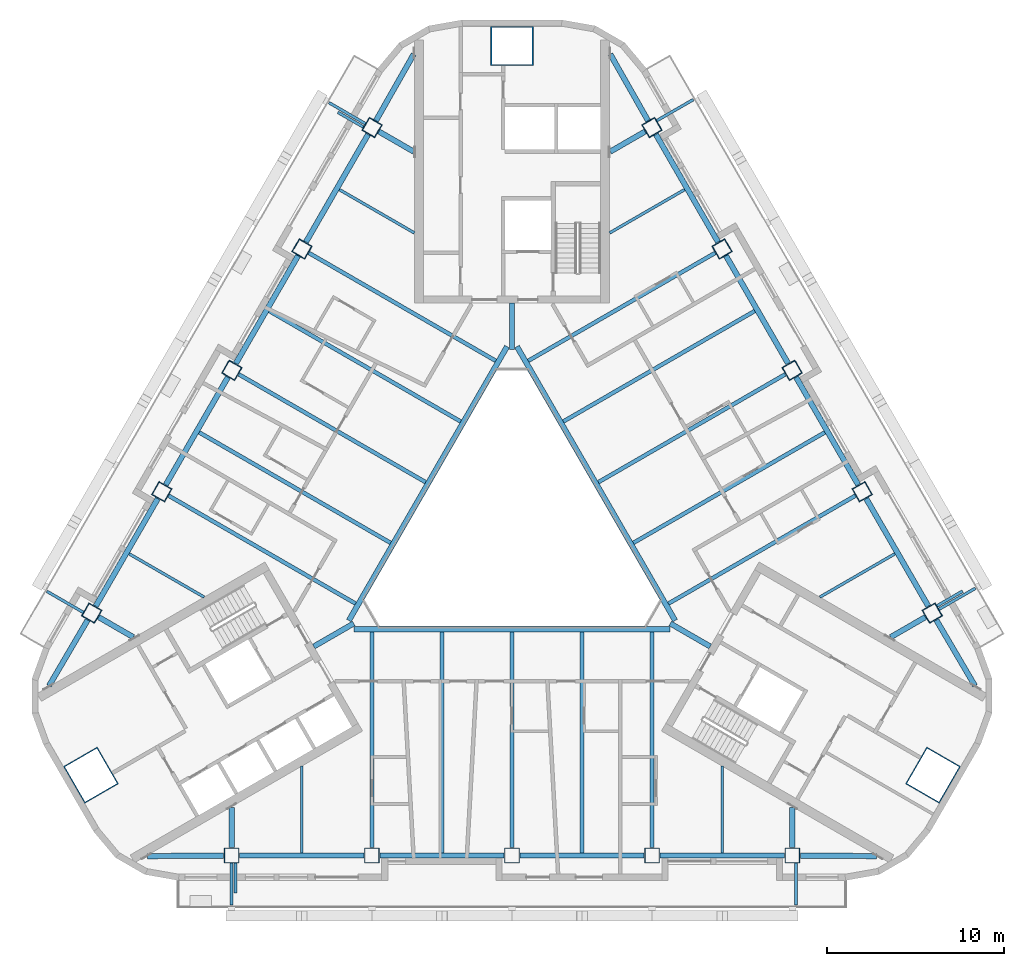
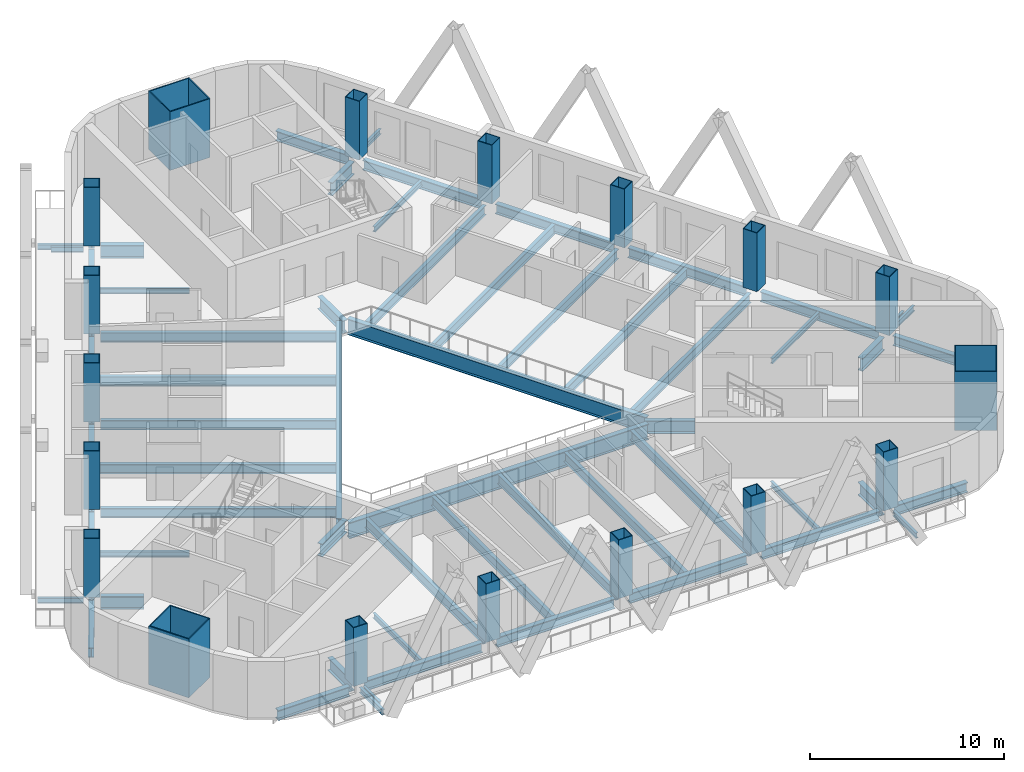
# One storey, part 1 of 17: 36 beams, 24 members, 18 columns.
"""IFC4 building model written with IfcOpenShell, lengths in metres."""

from ifc_helpers import new_model, si_unit, direction, frame, origin, origin_2d, place, context, subcontext, project, spatial, rectangle, hollow_rectangle, i_section, extrude, material, material_profile, profile_set, type_object, element, save


model = new_model("IFC4")

# Units and contexts
model_context = context("Model", 3, precision=1e-05, world=origin(), true_north=direction((0.0, 1.0)))
body_context = subcontext(model_context, "Body", "Model", "MODEL_VIEW")
ifc_project = project(units=[si_unit("LENGTHUNIT", "METRE"), si_unit("AREAUNIT", "SQUARE_METRE"), si_unit("VOLUMEUNIT", "CUBIC_METRE"), si_unit("PLANEANGLEUNIT", "RADIAN"), si_unit("MASSUNIT", "GRAM", prefix="KILO")], contexts=[model_context])

# Site, building, storey
site_placement = place(None, origin())
site = spatial("IfcSite", under=ifc_project, at=site_placement, CompositionType="ELEMENT")
building_placement = place(site_placement, origin())
building = spatial("IfcBuilding", under=site, at=building_placement, Name="Apuvela Tower Hotel", CompositionType="ELEMENT")
storey_placement = place(building_placement, frame((0.0, 0.0, 146.60009765625)))
storey = spatial("IfcBuildingStorey", under=building, at=storey_placement, Name="L34", CompositionType="ELEMENT", Elevation=146.60009765625)

# Columns
ifc_material_1 = material(Name="Steel S460", Category="steel")
ifc_material_profile_1 = material_profile(ifc_material_1, hollow_rectangle(XDim=2.39990234375, YDim=2.199951171875, WallThickness=0.06005859375, at=origin_2d()), Name="BOX 2400x2200x60")
ifc_material_2 = material(Name="Concrete C80/95", Category="concrete")
ifc_material_profile_2 = material_profile(ifc_material_2, rectangle(XDim=2.280029296875, YDim=2.080078125, at=origin_2d()), Name="Concrete C80/95 infill")
ifc_profile_set_1 = profile_set([ifc_material_profile_1, ifc_material_profile_2], Name="Steel S460")
column_type_1 = type_object("IfcColumnType", Name="STR-MC mega column BOX 2400x2200x60", PredefinedType="COLUMN", material=ifc_profile_set_1)
for number, where, z_axis, x_axis, name in (
    (1, (0.0, 27.39990234375, 0.0), (0.0, 0.0, 1.0), (1.0, 0.0, 0.0), "Mega column MC3 N"),
    (2, (-23.72900390625, -13.699951171875, 0.0), (0.0, 0.0, 1.0), (-0.5, 0.866025403784, 0.0), "Mega column MC3 SW"),
    (3, (23.72900390625, -13.699951171875, 0.0), (0.0, 0.0, 1.0), (0.5, 0.866025403784, 0.0), "Mega column MC3 SE"),
):
    element("IfcColumn", number, at=place(storey_placement, frame(where, z_axis=z_axis, x_axis=x_axis)), inside=storey, type_object=column_type_1, Name=name, PredefinedType="COLUMN", context=body_context, shape_type="SweptSolid", body=[
        extrude(hollow_rectangle(XDim=2.39990234375, YDim=2.199951171875, WallThickness=0.06005859375, at=origin_2d()), origin(), (0.0, 0.0, 1.0), 3.699951171875),
    ])
ifc_material_profile_3 = material_profile(ifc_material_1, hollow_rectangle(XDim=0.85009765625, YDim=0.85009765625, WallThickness=0.0400390625, at=origin_2d()), Name="BOX 850x850x40")
ifc_material_profile_4 = material_profile(ifc_material_2, rectangle(XDim=0.77001953125, YDim=0.77001953125, at=origin_2d()), Name="Concrete C80/95 infill")
ifc_profile_set_2 = profile_set([ifc_material_profile_3, ifc_material_profile_4], Name="Steel S460")
column_type_2 = type_object("IfcColumnType", Name="STR-PC perimeter column BOX 850x850x40", PredefinedType="COLUMN", material=ifc_profile_set_2)
for number, where, z_axis, x_axis, name in (
    (4, (-15.800048828125, -18.22998046875, 0.0), (0.0, 0.0, 1.0), (-1.0, 0.0, 0.0), "Perimeter column C4 S1"),
    (5, (-7.89990234375, -18.22998046875, 0.0), (0.0, 0.0, 1.0), (-1.0, 0.0, 0.0), "Perimeter column C4 S2"),
    (6, (0.0, -18.22998046875, 0.0), (0.0, 0.0, 1.0), (-1.0, 0.0, 0.0), "Perimeter column C4 S3"),
    (7, (7.89990234375, -18.22998046875, 0.0), (0.0, 0.0, 1.0), (-1.0, 0.0, 0.0), "Perimeter column C4 S4"),
    (8, (15.800048828125, -18.22998046875, 0.0), (0.0, 0.0, 1.0), (-1.0, 0.0, 0.0), "Perimeter column C4 S5"),
    (9, (23.6875, -4.568115234375, 0.0), (0.0, 0.0, 1.0), (-0.5, 0.866025403784, 0.0), "Perimeter column C4 NE1"),
    (10, (19.737548828125, 2.2734375, 0.0), (0.0, 0.0, 1.0), (-0.5, 0.866025403784, 0.0), "Perimeter column C4 NE2"),
    (11, (15.78759765625, 9.114990234375, 0.0), (0.0, 0.0, 1.0), (-0.5, 0.866025403784, 0.0), "Perimeter column C4 NE3"),
    (12, (11.837646484375, 15.95654296875, 0.0), (0.0, 0.0, 1.0), (-0.5, 0.866025403784, 0.0), "Perimeter column C4 NE4"),
    (13, (7.8876953125, 22.798095703125, 0.0), (0.0, 0.0, 1.0), (-0.5, 0.866025403784, 0.0), "Perimeter column C4 NE5"),
    (14, (-7.8876953125, 22.798095703125, 0.0), (0.0, 0.0, 1.0), (0.5, 0.866025403784, 0.0), "Perimeter column C4 NW1"),
    (15, (-11.837646484375, 15.95654296875, 0.0), (0.0, 0.0, 1.0), (0.5, 0.866025403784, 0.0), "Perimeter column C4 NW2"),
    (16, (-15.78759765625, 9.114990234375, 0.0), (0.0, 0.0, 1.0), (0.5, 0.866025403784, 0.0), "Perimeter column C4 NW3"),
    (17, (-19.737548828125, 2.2734375, 0.0), (0.0, 0.0, 1.0), (0.5, 0.866025403784, 0.0), "Perimeter column C4 NW4"),
    (18, (-23.6875, -4.568115234375, 0.0), (0.0, 0.0, 1.0), (0.5, 0.866025403784, 0.0), "Perimeter column C4 NW5"),
):
    element("IfcColumn", number, at=place(storey_placement, frame(where, z_axis=z_axis, x_axis=x_axis)), inside=storey, type_object=column_type_2, Name=name, PredefinedType="COLUMN", context=body_context, shape_type="SweptSolid", body=[
        extrude(hollow_rectangle(XDim=0.85009765625, YDim=0.85009765625, WallThickness=0.0400390625, at=origin_2d()), origin(), (0.0, 0.0, 1.0), 3.699951171875),
    ])

# Beams
ifc_material_3 = material(Name="Steel S355", Category="steel")
ifc_material_profile_5 = material_profile(ifc_material_3, i_section(OverallWidth=0.159912109375, OverallDepth=0.330078125, WebThickness=0.007568359375, FlangeThickness=0.011474609375, at=origin_2d()), Name="IPE 330")
ifc_profile_set_3 = profile_set([ifc_material_profile_5], Name="Steel S355")
beam_type_1 = type_object("IfcBeamType", Name="ENV-BALCONY-BEAM-IPE330", PredefinedType="BEAM", material=ifc_profile_set_3)
beam_1_placement = place(storey_placement, frame((-15.800048828125, -18.655029296875, -0.315185546875), z_axis=(0.0, -1.0, 0.0), x_axis=(1.0, 0.0, 0.0)))
element("IfcBeam", 19, at=beam_1_placement, inside=storey, type_object=beam_type_1, Name="Balcony cantilever beam S1 L34", PredefinedType="BEAM", context=body_context, shape_type="SweptSolid", body=[
    extrude(i_section(OverallWidth=0.159912109375, OverallDepth=0.330078125, WebThickness=0.007568359375, FlangeThickness=0.011474609375, at=origin_2d()), origin(), (0.0, 0.0, 1.0), 2.375),
])
beam_2_placement = place(storey_placement, frame((-15.580078125, -18.655029296875, -0.315185546875), z_axis=(0.0, -1.0, 0.0), x_axis=(1.0, 0.0, 0.0)))
element("IfcBeam", 20, at=beam_2_placement, inside=storey, type_object=beam_type_1, Name="Balcony cantilever beam S2 L34", PredefinedType="BEAM", context=body_context, shape_type="SweptSolid", body=[
    extrude(i_section(OverallWidth=0.159912109375, OverallDepth=0.330078125, WebThickness=0.007568359375, FlangeThickness=0.011474609375, at=origin_2d()), origin(), (0.0, 0.0, 1.0), 1.675048828125),
])
for number, where, z_axis, x_axis, name in (
    (21, (16.0, -18.655029296875, -0.315185546875), (0.0, -1.0, 0.0), (1.0, 0.0, 0.0), "Balcony cantilever beam S3 L34"),
    (22, (24.0556640625, -4.355712890625, -0.315185546875), (0.866033238375, 0.499986429846, 0.0), (-0.499986429846, 0.866033238375, 0.0), "Balcony cantilever beam NE1 L34"),
):
    element("IfcBeam", number, at=place(storey_placement, frame(where, z_axis=z_axis, x_axis=x_axis)), inside=storey, type_object=beam_type_1, Name=name, PredefinedType="BEAM", context=body_context, shape_type="SweptSolid", body=[
        extrude(i_section(OverallWidth=0.159912109375, OverallDepth=0.330078125, WebThickness=0.007568359375, FlangeThickness=0.011474609375, at=origin_2d()), origin(), (0.0, 0.0, 1.0), 2.375),
    ])
beam_3_placement = place(storey_placement, frame((23.94580078125, -4.165283203125, -0.315185546875), z_axis=(0.865964676353, 0.500105168249, 0.0), x_axis=(-0.500105168249, 0.865964676353, 0.0)))
element("IfcBeam", 23, at=beam_3_placement, inside=storey, type_object=beam_type_1, Name="Balcony cantilever beam NE2 L34", PredefinedType="BEAM", context=body_context, shape_type="SweptSolid", body=[
    extrude(i_section(OverallWidth=0.159912109375, OverallDepth=0.330078125, WebThickness=0.007568359375, FlangeThickness=0.011474609375, at=origin_2d()), origin(), (0.0, 0.0, 1.0), 1.675048828125),
])
beam_4_placement = place(storey_placement, frame((8.15576171875, 23.183837890625, -0.315185546875), z_axis=(0.866007538022, 0.500030943131, 0.0), x_axis=(-0.500030943131, 0.866007538022, 0.0)))
element("IfcBeam", 24, at=beam_4_placement, inside=storey, type_object=beam_type_1, Name="Balcony cantilever beam NE3 L34", PredefinedType="BEAM", context=body_context, shape_type="SweptSolid", body=[
    extrude(i_section(OverallWidth=0.159912109375, OverallDepth=0.330078125, WebThickness=0.007568359375, FlangeThickness=0.011474609375, at=origin_2d()), origin(), (0.0, 0.0, 1.0), 2.374755859375),
])
beam_5_placement = place(storey_placement, frame((-8.255615234375, 23.0107421875, -0.315185546875), z_axis=(-0.866033238375, 0.499986429846, 0.0), x_axis=(-0.499986429846, -0.866033238375, 0.0)))
element("IfcBeam", 25, at=beam_5_placement, inside=storey, type_object=beam_type_1, Name="Balcony cantilever beam NW1 L34", PredefinedType="BEAM", context=body_context, shape_type="SweptSolid", body=[
    extrude(i_section(OverallWidth=0.159912109375, OverallDepth=0.330078125, WebThickness=0.007568359375, FlangeThickness=0.011474609375, at=origin_2d()), origin(), (0.0, 0.0, 1.0), 2.375),
])
beam_6_placement = place(storey_placement, frame((-8.36572265625, 22.8203125, -0.315185546875), z_axis=(-0.866064234506, 0.499932737185, 0.0), x_axis=(-0.499932737185, -0.866064234506, 0.0)))
element("IfcBeam", 26, at=beam_6_placement, inside=storey, type_object=beam_type_1, Name="Balcony cantilever beam NW2 L34", PredefinedType="BEAM", context=body_context, shape_type="SweptSolid", body=[
    extrude(i_section(OverallWidth=0.159912109375, OverallDepth=0.330078125, WebThickness=0.007568359375, FlangeThickness=0.011474609375, at=origin_2d()), origin(), (0.0, 0.0, 1.0), 1.675048828125),
])
beam_7_placement = place(storey_placement, frame((-24.15576171875, -4.52880859375, -0.315185546875), z_axis=(-0.866007538022, 0.500030943131, 0.0), x_axis=(-0.500030943131, -0.866007538022, 0.0)))
element("IfcBeam", 27, at=beam_7_placement, inside=storey, type_object=beam_type_1, Name="Balcony cantilever beam NW3 L34", PredefinedType="BEAM", context=body_context, shape_type="SweptSolid", body=[
    extrude(i_section(OverallWidth=0.159912109375, OverallDepth=0.330078125, WebThickness=0.007568359375, FlangeThickness=0.011474609375, at=origin_2d()), origin(), (0.0, 0.0, 1.0), 2.374755859375),
])
ifc_material_profile_6 = material_profile(ifc_material_3, i_section(OverallWidth=0.159912109375, OverallDepth=0.330078125, WebThickness=0.007568359375, FlangeThickness=0.011474609375, at=origin_2d()), Name="IPE 330")
ifc_profile_set_4 = profile_set([ifc_material_profile_6], Name="Steel S355")
beam_type_2 = type_object("IfcBeamType", Name="STR-B floor beam IPE 330", PredefinedType="BEAM", material=ifc_profile_set_4)
beam_8_placement = place(storey_placement, frame((21.58056640625, -1.2236328125, -0.315185546875), z_axis=(-0.866010805854, -0.500025283505, 0.0), x_axis=(0.500025283505, -0.866010805854, 0.0)))
element("IfcBeam", 28, at=beam_8_placement, inside=storey, type_object=beam_type_2, Name="Floor beam B1 NE2", PredefinedType="BEAM", context=body_context, shape_type="SweptSolid", body=[
    extrude(i_section(OverallWidth=0.159912109375, OverallDepth=0.330078125, WebThickness=0.007568359375, FlangeThickness=0.011474609375, at=origin_2d()), origin(), (0.0, 0.0, 1.0), 4.885009765625),
])
for number, where, z_axis, x_axis, name in (
    (29, (9.730712890625, 19.30126953125, -0.315185546875), (-0.866023300691, -0.500003642646, 0.0), (0.500003642646, -0.866023300691, 0.0), "Floor beam B1 NE8"),
    (30, (-9.730712890625, 19.30126953125, -0.315185546875), (0.866023300691, -0.500003642646, 0.0), (0.500003642646, 0.866023300691, 0.0), "Floor beam B1 NW2"),
):
    element("IfcBeam", number, at=place(storey_placement, frame(where, z_axis=z_axis, x_axis=x_axis)), inside=storey, type_object=beam_type_2, Name=name, PredefinedType="BEAM", context=body_context, shape_type="SweptSolid", body=[
        extrude(i_section(OverallWidth=0.159912109375, OverallDepth=0.330078125, WebThickness=0.007568359375, FlangeThickness=0.011474609375, at=origin_2d()), origin(), (0.0, 0.0, 1.0), 4.88525390625),
    ])
for number, where, z_axis, x_axis, name in (
    (31, (-21.58056640625, -1.2236328125, -0.315185546875), (0.866010805854, -0.500025283505, 0.0), (0.500025283505, 0.866010805854, 0.0), "Floor beam B1 NW8"),
    (32, (-11.85009765625, -18.077392578125, -0.315185546875), (0.0, 1.0, 0.0), (-1.0, 0.0, 0.0), "Floor beam B1 S2"),
    (33, (11.85009765625, -18.077392578125, -0.315185546875), (0.0, 1.0, 0.0), (-1.0, 0.0, 0.0), "Floor beam B1 S8"),
):
    element("IfcBeam", number, at=place(storey_placement, frame(where, z_axis=z_axis, x_axis=x_axis)), inside=storey, type_object=beam_type_2, Name=name, PredefinedType="BEAM", context=body_context, shape_type="SweptSolid", body=[
        extrude(i_section(OverallWidth=0.159912109375, OverallDepth=0.330078125, WebThickness=0.007568359375, FlangeThickness=0.011474609375, at=origin_2d()), origin(), (0.0, 0.0, 1.0), 4.885009765625),
    ])
ifc_material_profile_7 = material_profile(ifc_material_3, i_section(OverallWidth=0.219970703125, OverallDepth=0.60009765625, WebThickness=0.011962890625, FlangeThickness=0.01904296875, at=origin_2d()), Name="IPE 600")
ifc_profile_set_5 = profile_set([ifc_material_profile_7], Name="Steel S355")
beam_type_3 = type_object("IfcBeamType", Name="STR-B floor beam IPE 600", PredefinedType="BEAM", material=ifc_profile_set_5)
beam_9_placement = place(storey_placement, frame((19.347900390625, 2.04833984375, -0.4501953125), z_axis=(-0.866029111796, -0.499993577481, 0.0), x_axis=(0.499993577481, -0.866029111796, 0.0)))
element("IfcBeam", 34, at=beam_9_placement, inside=storey, type_object=beam_type_3, Name="Floor beam B8 NE3", PredefinedType="BEAM", context=body_context, shape_type="SweptSolid", body=[
    extrude(i_section(OverallWidth=0.219970703125, OverallDepth=0.60009765625, WebThickness=0.011962890625, FlangeThickness=0.01904296875, at=origin_2d()), origin(), (0.0, 0.0, 1.0), 12.159912109375),
])
beam_10_placement = place(storey_placement, frame((17.630615234375, 5.617919921875, -0.4501953125), z_axis=(-0.866026323637, -0.499998406765, 0.0), x_axis=(0.499998406765, -0.866026323637, 0.0)))
element("IfcBeam", 35, at=beam_10_placement, inside=storey, type_object=beam_type_3, Name="Floor beam B8 NE4", PredefinedType="BEAM", context=body_context, shape_type="SweptSolid", body=[
    extrude(i_section(OverallWidth=0.219970703125, OverallDepth=0.60009765625, WebThickness=0.011962890625, FlangeThickness=0.01904296875, at=origin_2d()), origin(), (0.0, 0.0, 1.0), 12.45751953125),
])
beam_11_placement = place(storey_placement, frame((15.39794921875, 8.889892578125, -0.4501953125), z_axis=(-0.866029111796, -0.499993577481, 0.0), x_axis=(0.499993577481, -0.866029111796, 0.0)))
element("IfcBeam", 36, at=beam_11_placement, inside=storey, type_object=beam_type_3, Name="Floor beam B8 NE5", PredefinedType="BEAM", context=body_context, shape_type="SweptSolid", body=[
    extrude(i_section(OverallWidth=0.219970703125, OverallDepth=0.60009765625, WebThickness=0.011962890625, FlangeThickness=0.01904296875, at=origin_2d()), origin(), (0.0, 0.0, 1.0), 12.159912109375),
])
beam_12_placement = place(storey_placement, frame((13.6806640625, 12.459716796875, -0.4501953125), z_axis=(-0.866017837522, -0.500013104923, 0.0), x_axis=(0.500013104923, -0.866017837522, 0.0)))
element("IfcBeam", 37, at=beam_12_placement, inside=storey, type_object=beam_type_3, Name="Floor beam B8 NE6", PredefinedType="BEAM", context=body_context, shape_type="SweptSolid", body=[
    extrude(i_section(OverallWidth=0.219970703125, OverallDepth=0.60009765625, WebThickness=0.011962890625, FlangeThickness=0.01904296875, at=origin_2d()), origin(), (0.0, 0.0, 1.0), 12.457763671875),
])
for number, where, z_axis, x_axis, name in (
    (38, (11.447998046875, 15.731689453125, -0.4501953125), (-0.866025437355, -0.499999941854, 0.0), (0.499999941854, -0.866025437355, 0.0), "Floor beam B8 NE7"),
    (39, (-11.447998046875, 15.731689453125, -0.4501953125), (0.866025437355, -0.499999941854, 0.0), (0.499999941854, 0.866025437355, 0.0), "Floor beam B8 NW3"),
):
    element("IfcBeam", number, at=place(storey_placement, frame(where, z_axis=z_axis, x_axis=x_axis)), inside=storey, type_object=beam_type_3, Name=name, PredefinedType="BEAM", context=body_context, shape_type="SweptSolid", body=[
        extrude(i_section(OverallWidth=0.219970703125, OverallDepth=0.60009765625, WebThickness=0.011962890625, FlangeThickness=0.01904296875, at=origin_2d()), origin(), (0.0, 0.0, 1.0), 12.16015625),
    ])
beam_13_placement = place(storey_placement, frame((-13.6806640625, 12.459716796875, -0.4501953125), z_axis=(0.866017837522, -0.500013104923, 0.0), x_axis=(0.500013104923, 0.866017837522, 0.0)))
element("IfcBeam", 40, at=beam_13_placement, inside=storey, type_object=beam_type_3, Name="Floor beam B8 NW4", PredefinedType="BEAM", context=body_context, shape_type="SweptSolid", body=[
    extrude(i_section(OverallWidth=0.219970703125, OverallDepth=0.60009765625, WebThickness=0.011962890625, FlangeThickness=0.01904296875, at=origin_2d()), origin(), (0.0, 0.0, 1.0), 12.457763671875),
])
beam_14_placement = place(storey_placement, frame((-15.39794921875, 8.889892578125, -0.4501953125), z_axis=(0.866029111796, -0.499993577481, 0.0), x_axis=(0.499993577481, 0.866029111796, 0.0)))
element("IfcBeam", 41, at=beam_14_placement, inside=storey, type_object=beam_type_3, Name="Floor beam B8 NW5", PredefinedType="BEAM", context=body_context, shape_type="SweptSolid", body=[
    extrude(i_section(OverallWidth=0.219970703125, OverallDepth=0.60009765625, WebThickness=0.011962890625, FlangeThickness=0.01904296875, at=origin_2d()), origin(), (0.0, 0.0, 1.0), 12.159912109375),
])
beam_15_placement = place(storey_placement, frame((-17.630615234375, 5.617919921875, -0.4501953125), z_axis=(0.866026323637, -0.499998406765, 0.0), x_axis=(0.499998406765, 0.866026323637, 0.0)))
element("IfcBeam", 42, at=beam_15_placement, inside=storey, type_object=beam_type_3, Name="Floor beam B8 NW6", PredefinedType="BEAM", context=body_context, shape_type="SweptSolid", body=[
    extrude(i_section(OverallWidth=0.219970703125, OverallDepth=0.60009765625, WebThickness=0.011962890625, FlangeThickness=0.01904296875, at=origin_2d()), origin(), (0.0, 0.0, 1.0), 12.45751953125),
])
for number, where, z_axis, x_axis, name in (
    (43, (-19.347900390625, 2.04833984375, -0.4501953125), (0.866029111796, -0.499993577481, 0.0), (0.499993577481, 0.866029111796, 0.0), "Floor beam B8 NW7"),
    (44, (-7.89990234375, -17.780029296875, -0.4501953125), (0.0, 1.0, 0.0), (-1.0, 0.0, 0.0), "Floor beam B8 S3"),
):
    element("IfcBeam", number, at=place(storey_placement, frame(where, z_axis=z_axis, x_axis=x_axis)), inside=storey, type_object=beam_type_3, Name=name, PredefinedType="BEAM", context=body_context, shape_type="SweptSolid", body=[
        extrude(i_section(OverallWidth=0.219970703125, OverallDepth=0.60009765625, WebThickness=0.011962890625, FlangeThickness=0.01904296875, at=origin_2d()), origin(), (0.0, 0.0, 1.0), 12.159912109375),
    ])
beam_16_placement = place(storey_placement, frame((-3.949951171875, -18.077392578125, -0.4501953125), z_axis=(0.0, 1.0, 0.0), x_axis=(-1.0, 0.0, 0.0)))
element("IfcBeam", 45, at=beam_16_placement, inside=storey, type_object=beam_type_3, Name="Floor beam B8 S4", PredefinedType="BEAM", context=body_context, shape_type="SweptSolid", body=[
    extrude(i_section(OverallWidth=0.219970703125, OverallDepth=0.60009765625, WebThickness=0.011962890625, FlangeThickness=0.01904296875, at=origin_2d()), origin(), (0.0, 0.0, 1.0), 12.457275390625),
])
beam_17_placement = place(storey_placement, frame((0.0, -17.780029296875, -0.4501953125), z_axis=(0.0, 1.0, 0.0), x_axis=(-1.0, 0.0, 0.0)))
element("IfcBeam", 46, at=beam_17_placement, inside=storey, type_object=beam_type_3, Name="Floor beam B8 S5", PredefinedType="BEAM", context=body_context, shape_type="SweptSolid", body=[
    extrude(i_section(OverallWidth=0.219970703125, OverallDepth=0.60009765625, WebThickness=0.011962890625, FlangeThickness=0.01904296875, at=origin_2d()), origin(), (0.0, 0.0, 1.0), 12.159912109375),
])
beam_18_placement = place(storey_placement, frame((3.949951171875, -18.077392578125, -0.4501953125), z_axis=(0.0, 1.0, 0.0), x_axis=(-1.0, 0.0, 0.0)))
element("IfcBeam", 47, at=beam_18_placement, inside=storey, type_object=beam_type_3, Name="Floor beam B8 S6", PredefinedType="BEAM", context=body_context, shape_type="SweptSolid", body=[
    extrude(i_section(OverallWidth=0.219970703125, OverallDepth=0.60009765625, WebThickness=0.011962890625, FlangeThickness=0.01904296875, at=origin_2d()), origin(), (0.0, 0.0, 1.0), 12.457275390625),
])
beam_19_placement = place(storey_placement, frame((7.89990234375, -17.780029296875, -0.4501953125), z_axis=(0.0, 1.0, 0.0), x_axis=(-1.0, 0.0, 0.0)))
element("IfcBeam", 48, at=beam_19_placement, inside=storey, type_object=beam_type_3, Name="Floor beam B8 S7", PredefinedType="BEAM", context=body_context, shape_type="SweptSolid", body=[
    extrude(i_section(OverallWidth=0.219970703125, OverallDepth=0.60009765625, WebThickness=0.011962890625, FlangeThickness=0.01904296875, at=origin_2d()), origin(), (0.0, 0.0, 1.0), 12.159912109375),
])
ifc_material_profile_8 = material_profile(ifc_material_3, i_section(OverallWidth=0.300048828125, OverallDepth=1.0, WebThickness=0.01904296875, FlangeThickness=0.035888671875, at=origin_2d()), Name="HE 1000 B")
ifc_profile_set_6 = profile_set([ifc_material_profile_8], Name="Steel S355")
beam_type_4 = type_object("IfcBeamType", Name="STR-G atrium ring girder HE 1000 B", PredefinedType="BEAM", material=ifc_profile_set_6)
beam_20_placement = place(storey_placement, frame((-0.27978515625, 10.455078125, -0.650146484375), z_axis=(-0.500006541319, -0.866021627119, 0.0), x_axis=(0.866021627119, -0.500006541319, 0.0)))
element("IfcBeam", 49, at=beam_20_placement, inside=storey, type_object=beam_type_4, Name="Atrium ring girder G2 N-SW", PredefinedType="BEAM", context=body_context, shape_type="SweptSolid", body=[
    extrude(i_section(OverallWidth=0.300048828125, OverallDepth=1.0, WebThickness=0.01904296875, FlangeThickness=0.035888671875, at=origin_2d()), origin(), (0.0, 0.0, 1.0), 17.828857421875),
])
beam_21_placement = place(storey_placement, frame((-8.91455078125, -5.469970703125, -0.650146484375), z_axis=(1.0, 0.0, 0.0), x_axis=(0.0, 1.0, 0.0)))
element("IfcBeam", 50, at=beam_21_placement, inside=storey, type_object=beam_type_4, Name="Atrium ring girder G2 SW-SE", PredefinedType="BEAM", context=body_context, shape_type="SweptSolid", body=[
    extrude(i_section(OverallWidth=0.300048828125, OverallDepth=1.0, WebThickness=0.01904296875, FlangeThickness=0.035888671875, at=origin_2d()), origin(), (0.0, 0.0, 1.0), 17.8291015625),
])
beam_22_placement = place(storey_placement, frame((9.1943359375, -4.985107421875, -0.650146484375), z_axis=(-0.500006541319, 0.866021627119, 0.0), x_axis=(-0.866021627119, -0.500006541319, 0.0)))
element("IfcBeam", 51, at=beam_22_placement, inside=storey, type_object=beam_type_4, Name="Atrium ring girder G2 SE-N", PredefinedType="BEAM", context=body_context, shape_type="SweptSolid", body=[
    extrude(i_section(OverallWidth=0.300048828125, OverallDepth=1.0, WebThickness=0.01904296875, FlangeThickness=0.035888671875, at=origin_2d()), origin(), (0.0, 0.0, 1.0), 17.828857421875),
])
ifc_material_profile_9 = material_profile(ifc_material_3, i_section(OverallWidth=0.300048828125, OverallDepth=0.800048828125, WebThickness=0.017578125, FlangeThickness=0.032958984375, at=origin_2d()), Name="HE 800 B")
ifc_profile_set_7 = profile_set([ifc_material_profile_9], Name="Steel S355")
beam_type_5 = type_object("IfcBeamType", Name="STR-GT core tie beam HE 800 B", PredefinedType="BEAM", material=ifc_profile_set_7)
for number, where, z_axis, x_axis, name in (
    (52, (0.0, 12.89990234375, -0.550048828125), (0.0, -1.0, 0.0), (1.0, 0.0, 0.0), "Core tie beam GT1 N"),
    (53, (-11.171630859375, -6.449951171875, -0.550048828125), (0.865997922154, 0.500047596559, 0.0), (-0.500047596559, 0.865997922154, 0.0), "Core tie beam GT1 SW"),
    (54, (11.171630859375, -6.449951171875, -0.550048828125), (-0.865997922154, 0.500047596559, 0.0), (-0.500047596559, -0.865997922154, 0.0), "Core tie beam GT1 SE"),
):
    element("IfcBeam", number, at=place(storey_placement, frame(where, z_axis=z_axis, x_axis=x_axis)), inside=storey, type_object=beam_type_5, Name=name, PredefinedType="BEAM", context=body_context, shape_type="SweptSolid", body=[
        extrude(i_section(OverallWidth=0.300048828125, OverallDepth=0.800048828125, WebThickness=0.017578125, FlangeThickness=0.032958984375, at=origin_2d()), origin(), (0.0, 0.0, 1.0), 2.599853515625),
    ])

# Members
ifc_material_profile_10 = material_profile(ifc_material_3, i_section(OverallWidth=0.304931640625, OverallDepth=0.6201171875, WebThickness=0.02099609375, FlangeThickness=0.0400390625, at=origin_2d()), Name="HE 600 M")
ifc_profile_set_8 = profile_set([ifc_material_profile_10], Name="Steel S355")
member_type_1 = type_object("IfcMemberType", Name="STR-T1 belt truss chord HE 600 M", PredefinedType="CHORD", material=ifc_profile_set_8)
for number, where, z_axis, x_axis, name in (
    (55, (-15.35009765625, -18.22998046875, -0.460205078125), (1.0, 0.0, 0.0), (0.0, 1.0, 0.0), "Belt chord BT2 S1"),
    (56, (-7.449951171875, -18.22998046875, -0.460205078125), (1.0, 0.0, 0.0), (0.0, 1.0, 0.0), "Belt chord BT2 S2"),
    (57, (0.449951171875, -18.22998046875, -0.460205078125), (1.0, 0.0, 0.0), (0.0, 1.0, 0.0), "Belt chord BT2 S3"),
    (58, (8.35009765625, -18.22998046875, -0.460205078125), (1.0, 0.0, 0.0), (0.0, 1.0, 0.0), "Belt chord BT2 S4"),
    (59, (23.462646484375, -4.178466796875, -0.460205078125), (-0.499995173006, 0.866028190633, 0.0), (-0.866028190633, -0.499995173006, 0.0), "Belt chord BT2 NE1"),
    (60, (19.5126953125, 2.6630859375, -0.460205078125), (-0.499995173006, 0.866028190633, 0.0), (-0.866028190633, -0.499995173006, 0.0), "Belt chord BT2 NE2"),
    (61, (15.5625, 9.504638671875, -0.460205078125), (-0.499995173006, 0.866028190633, 0.0), (-0.866028190633, -0.499995173006, 0.0), "Belt chord BT2 NE3"),
    (62, (11.612548828125, 16.34619140625, -0.460205078125), (-0.499995173006, 0.866028190633, 0.0), (-0.866028190633, -0.499995173006, 0.0), "Belt chord BT2 NE4"),
    (63, (-8.112548828125, 22.408447265625, -0.460205078125), (-0.499995173006, -0.866028190633, 0.0), (0.866028190633, -0.499995173006, 0.0), "Belt chord BT2 NW1"),
    (64, (-12.0625, 15.56689453125, -0.460205078125), (-0.499995173006, -0.866028190633, 0.0), (0.866028190633, -0.499995173006, 0.0), "Belt chord BT2 NW2"),
    (65, (-16.0126953125, 8.725341796875, -0.460205078125), (-0.499995173006, -0.866028190633, 0.0), (0.866028190633, -0.499995173006, 0.0), "Belt chord BT2 NW3"),
    (66, (-19.962646484375, 1.8837890625, -0.460205078125), (-0.499995173006, -0.866028190633, 0.0), (0.866028190633, -0.499995173006, 0.0), "Belt chord BT2 NW4"),
):
    element("IfcMember", number, at=place(storey_placement, frame(where, z_axis=z_axis, x_axis=x_axis)), inside=storey, type_object=member_type_1, Name=name, PredefinedType="CHORD", context=body_context, shape_type="SweptSolid", body=[
        extrude(i_section(OverallWidth=0.304931640625, OverallDepth=0.6201171875, WebThickness=0.02099609375, FlangeThickness=0.0400390625, at=origin_2d()), origin(), (0.0, 0.0, 1.0), 7.0),
    ])
for number, where, z_axis, x_axis, name in (
    (67, (-16.25, -18.233154296875, -0.460205078125), (-0.999976421641, -0.006867034451, 0.0), (0.006867034451, -0.999976421641, 0.0), "Belt chord BT2 S1-SW"),
    (68, (16.25, -18.233154296875, -0.460205078125), (0.999976421641, -0.006867034451, 0.0), (0.006867034451, 0.999976421641, 0.0), "Belt chord BT2 S5-SE"),
):
    element("IfcMember", number, at=place(storey_placement, frame(where, z_axis=z_axis, x_axis=x_axis)), inside=storey, type_object=member_type_1, Name=name, PredefinedType="CHORD", context=body_context, shape_type="SweptSolid", body=[
        extrude(i_section(OverallWidth=0.304931640625, OverallDepth=0.6201171875, WebThickness=0.02099609375, FlangeThickness=0.0400390625, at=origin_2d()), origin(), (0.0, 0.0, 1.0), 4.3017578125),
    ])
member_1_placement = place(storey_placement, frame((23.915283203125, -4.956298828125, -0.460205078125), z_axis=(0.505940864677, -0.862568166263, 0.0), x_axis=(0.862568166263, 0.505940864677, 0.0)))
element("IfcMember", 69, at=member_1_placement, inside=storey, type_object=member_type_1, Name="Belt chord BT2 NE1-SE", PredefinedType="CHORD", context=body_context, shape_type="SweptSolid", body=[
    extrude(i_section(OverallWidth=0.304931640625, OverallDepth=0.6201171875, WebThickness=0.02099609375, FlangeThickness=0.0400390625, at=origin_2d()), origin(), (0.0, 0.0, 1.0), 4.302001953125),
])
for number, where, z_axis, x_axis, name in (
    (70, (7.665283203125, 23.189453125, -0.460205078125), (-0.494028908476, 0.869445477066, 0.0), (-0.869445477066, -0.494028908476, 0.0), "Belt chord BT2 NE5-N"),
    (71, (-7.665283203125, 23.189453125, -0.460205078125), (0.494028908476, 0.869445477066, 0.0), (-0.869445477066, 0.494028908476, 0.0), "Belt chord BT2 NW1-N"),
):
    element("IfcMember", number, at=place(storey_placement, frame(where, z_axis=z_axis, x_axis=x_axis)), inside=storey, type_object=member_type_1, Name=name, PredefinedType="CHORD", context=body_context, shape_type="SweptSolid", body=[
        extrude(i_section(OverallWidth=0.304931640625, OverallDepth=0.6201171875, WebThickness=0.02099609375, FlangeThickness=0.0400390625, at=origin_2d()), origin(), (0.0, 0.0, 1.0), 4.3017578125),
    ])
member_2_placement = place(storey_placement, frame((-23.915283203125, -4.956298828125, -0.460205078125), z_axis=(-0.505940864677, -0.862568166263, 0.0), x_axis=(0.862568166263, -0.505940864677, 0.0)))
element("IfcMember", 72, at=member_2_placement, inside=storey, type_object=member_type_1, Name="Belt chord BT2 NW5-SW", PredefinedType="CHORD", context=body_context, shape_type="SweptSolid", body=[
    extrude(i_section(OverallWidth=0.304931640625, OverallDepth=0.6201171875, WebThickness=0.02099609375, FlangeThickness=0.0400390625, at=origin_2d()), origin(), (0.0, 0.0, 1.0), 4.302001953125),
])
ifc_material_profile_11 = material_profile(ifc_material_3, i_section(OverallWidth=0.302978515625, OverallDepth=0.81396484375, WebThickness=0.02099609375, FlangeThickness=0.0400390625, at=origin_2d()), Name="HE 800 M")
ifc_profile_set_9 = profile_set([ifc_material_profile_11], Name="Steel S355")
member_type_2 = type_object("IfcMemberType", Name="STR-T1 outrigger truss chord HE 800 M", PredefinedType="CHORD", material=ifc_profile_set_9)
for number, where, z_axis, x_axis, name in (
    (73, (23.2978515625, -4.793212890625, -0.55712890625), (-0.866014732592, -0.500018482592, 0.0), (0.500018482592, -0.866014732592, 0.0), "Outrigger chord OC2 NE1"),
    (74, (7.497802734375, 22.5732421875, -0.55712890625), (-0.866014732592, -0.500018482592, 0.0), (0.500018482592, -0.866014732592, 0.0), "Outrigger chord OC2 NE5"),
    (75, (-7.497802734375, 22.5732421875, -0.55712890625), (0.866014732592, -0.500018482592, 0.0), (0.500018482592, 0.866014732592, 0.0), "Outrigger chord OC2 NW1"),
    (76, (-23.2978515625, -4.793212890625, -0.55712890625), (0.866014732592, -0.500018482592, 0.0), (0.500018482592, 0.866014732592, 0.0), "Outrigger chord OC2 NW5"),
    (77, (-15.800048828125, -17.780029296875, -0.55712890625), (0.0, 1.0, 0.0), (-1.0, 0.0, 0.0), "Outrigger chord OC2 S1"),
    (78, (15.800048828125, -17.780029296875, -0.55712890625), (0.0, 1.0, 0.0), (-1.0, 0.0, 0.0), "Outrigger chord OC2 S5"),
):
    element("IfcMember", number, at=place(storey_placement, frame(where, z_axis=z_axis, x_axis=x_axis)), inside=storey, type_object=member_type_2, Name=name, PredefinedType="CHORD", context=body_context, shape_type="SweptSolid", body=[
        extrude(i_section(OverallWidth=0.302978515625, OverallDepth=0.81396484375, WebThickness=0.02099609375, FlangeThickness=0.0400390625, at=origin_2d()), origin(), (0.0, 0.0, 1.0), 2.2607421875),
    ])

save(model, "model.ifc")
